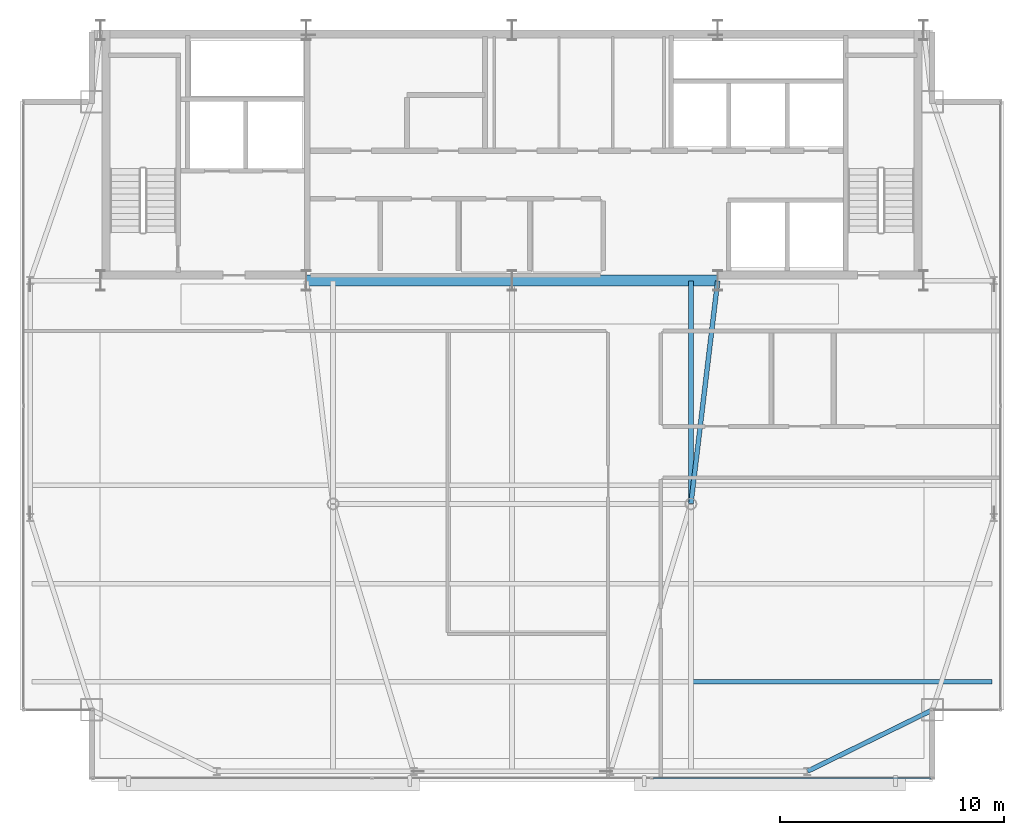
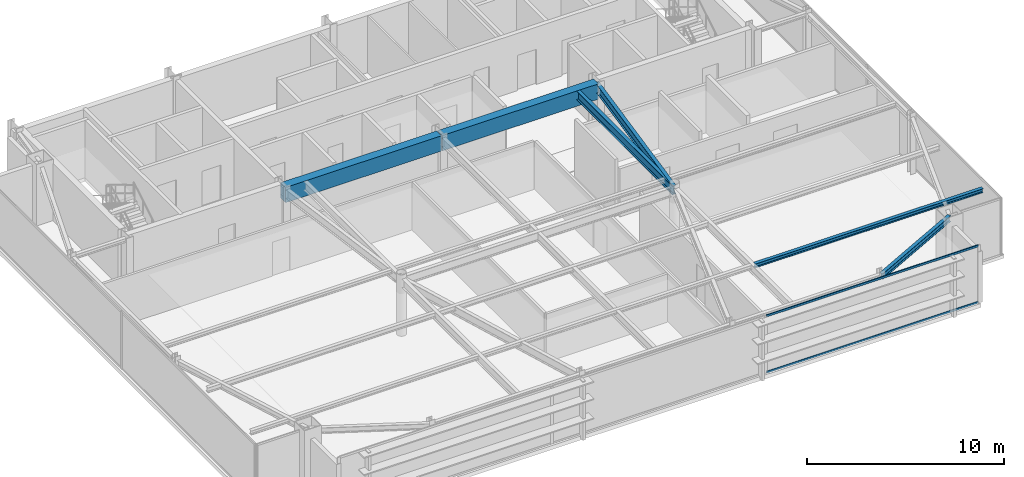
# One storey, part 13 of 24: 6 beams, 2 members, 1 element without a shape of its own.
"""IFC4 building model written with IfcOpenShell, lengths in metres."""

from ifc_helpers import new_model, si_unit, direction, frame, origin, origin_2d, place, context, subcontext, project, spatial, rectangle, hollow_rectangle, i_section, extrude, source, transform, mapped, material, layer, layer_set, material_profile, profile_set, type_object, type_shapes, element, aggregate, save


model = new_model("IFC4")

# Units and contexts
model_context = context("Model", 3, precision=1e-05, world=origin(), true_north=direction((0.0, 1.0)))
body_context = subcontext(model_context, "Body", "Model", "MODEL_VIEW")
ifc_project = project(units=[si_unit("LENGTHUNIT", "METRE"), si_unit("AREAUNIT", "SQUARE_METRE"), si_unit("VOLUMEUNIT", "CUBIC_METRE"), si_unit("PLANEANGLEUNIT", "RADIAN"), si_unit("MASSUNIT", "GRAM", prefix="KILO")], contexts=[model_context])

# Site, building, storey
site_placement = place(None, origin())
site = spatial("IfcSite", under=ifc_project, at=site_placement, CompositionType="ELEMENT")
building_placement = place(site_placement, origin())
building = spatial("IfcBuilding", under=site, at=building_placement, Name="Varnel Quay Broadcast Tower", CompositionType="ELEMENT")
storey_placement = place(building_placement, frame((0.0, 0.0, 269.800048828125)))
storey = spatial("IfcBuildingStorey", under=building, at=storey_placement, Name="L67", CompositionType="ELEMENT", Elevation=269.800048828125)

# Beams
ifc_material_1 = material(Name="Concrete CSA A23.3 C50/60", Category="concrete")
ifc_material_profile_1 = material_profile(ifc_material_1, rectangle(XDim=0.5, YDim=0.949951171875, at=origin_2d()), Name="RC500X950")
ifc_profile_set_1 = profile_set([ifc_material_profile_1], Name="Concrete CSA A23.3 C50/60")
beam_type_1 = type_object("IfcBeamType", Name="Beam_RC500X950", PredefinedType="BEAM", material=ifc_profile_set_1)
shared_shape_1 = source(origin(), body_context, "Body", "SweptSolid", [
    extrude(rectangle(XDim=0.5, YDim=0.949951171875, at=origin_2d()), origin(), (0.0, 0.0, 1.0), 9.159912109375),
])
type_shapes(beam_type_1, [shared_shape_1])
for number, where, z_axis, x_axis, name in (
    (1, (24.820068359375, 35.60009765625, 3.074951171875), (1.0, 0.0, 0.0), (0.0, 1.0, 0.0), "L67 Core Coupling Beam W"),
    (2, (34.02001953125, 35.60009765625, 3.074951171875), (1.0, 0.0, 0.0), (0.0, 1.0, 0.0), "L67 Core Coupling Beam E"),
):
    element("IfcBeam", number, at=place(storey_placement, frame(where, z_axis=z_axis, x_axis=x_axis)), inside=storey, type_object=beam_type_1, Name=name, PredefinedType="BEAM", context=body_context, shape_type="MappedRepresentation", body=[
        mapped(shared_shape_1, transform((0.0, 0.0, 0.0), x_axis=(1.0, 0.0, 0.0), y_axis=(0.0, 1.0, 0.0), z_axis=(0.0, 0.0, 1.0), scale=1.0)),
    ])
ifc_material_2 = material(Name="Structural Steel CSA G40.21 350W", Category="steel")
ifc_material_profile_2 = material_profile(ifc_material_2, i_section(OverallWidth=0.205078125, OverallDepth=0.35400390625, WebThickness=0.009521484375, FlangeThickness=0.016845703125, FilletRadius=0.012939453125, at=origin_2d()), Name="W360X79")
ifc_profile_set_2 = profile_set([ifc_material_profile_2], Name="Structural Steel CSA G40.21 350W")
beam_type_2 = type_object("IfcBeamType", Name="Beam_W360X79", PredefinedType="SPANDREL", material=ifc_profile_set_2)
shared_shape_2 = source(origin(), body_context, "Body", "SweptSolid", [
    extrude(i_section(OverallWidth=0.205078125, OverallDepth=0.35400390625, WebThickness=0.009521484375, FlangeThickness=0.016845703125, FilletRadius=0.012939453125, at=origin_2d()), origin(), (0.0, 0.0, 1.0), 6.19873046875),
])
type_shapes(beam_type_2, [shared_shape_2])
beam_1_placement = place(storey_placement, frame((47.218017578125, 13.65869140625, 3.373046875), z_axis=(0.897602447358, 0.440805905697, 0.0), x_axis=(-0.440805905697, 0.897602447358, 0.0)))
element("IfcBeam", 3, at=beam_1_placement, inside=storey, type_object=beam_type_2, Name="L67 South Spandrel TC-S4-MC-SE", PredefinedType="SPANDREL", context=body_context, shape_type="MappedRepresentation", body=[
    mapped(shared_shape_2, transform((0.0, 0.0, 0.0), x_axis=(1.0, 0.0, 0.0), y_axis=(0.0, 1.0, 0.0), z_axis=(0.0, 0.0, 1.0), scale=1.0)),
])
ifc_material_profile_3 = material_profile(ifc_material_2, i_section(OverallWidth=0.2119140625, OverallDepth=0.5439453125, WebThickness=0.01318359375, FlangeThickness=0.021240234375, FilletRadius=0.013916015625, at=origin_2d()), Name="W530X123")
ifc_profile_set_3 = profile_set([ifc_material_profile_3], Name="Structural Steel CSA G40.21 350W")
beam_type_3 = type_object("IfcBeamType", Name="Girder_W530X123", PredefinedType="BEAM", material=ifc_profile_set_3)
shared_shape_3 = source(origin(), body_context, "Body", "SweptSolid", [
    extrude(i_section(OverallWidth=0.2119140625, OverallDepth=0.5439453125, WebThickness=0.01318359375, FlangeThickness=0.021240234375, FilletRadius=0.013916015625, at=origin_2d()), origin(), (0.0, 0.0, 1.0), 10.021728515625),
])
beam_2_placement = place(storey_placement, frame((42.00244140625, 25.6298828125, 3.27783203125), z_axis=(0.119248005741, 0.992864498875, 0.0), x_axis=(-0.992864498875, 0.119248005741, 0.0)))
element("IfcBeam", 4, at=beam_2_placement, inside=storey, type_object=beam_type_3, Name="L67 Primary Girder IC-02-CC-S4", PredefinedType="BEAM", context=body_context, shape_type="MappedRepresentation", body=[
    mapped(shared_shape_3, transform((0.0, 0.0, 0.0), x_axis=(1.0, 0.0, 0.0), y_axis=(0.0, 1.0, 0.0), z_axis=(0.0, 0.0, 1.0), scale=1.0)),
])
shared_shape_4 = source(origin(), body_context, "Body", "SweptSolid", [
    extrude(i_section(OverallWidth=0.2119140625, OverallDepth=0.5439453125, WebThickness=0.01318359375, FlangeThickness=0.021240234375, FilletRadius=0.013916015625, at=origin_2d()), origin(), (0.0, 0.0, 1.0), 9.9501953125),
])
type_shapes(beam_type_3, [shared_shape_3, shared_shape_4])
beam_3_placement = place(storey_placement, frame((42.0, 25.6298828125, 3.27783203125), z_axis=(0.0, 1.0, 0.0), x_axis=(-1.0, 0.0, 0.0)))
element("IfcBeam", 5, at=beam_3_placement, inside=storey, type_object=beam_type_3, Name="L67 N-S Joist Header IC-02N", PredefinedType="BEAM", context=body_context, shape_type="MappedRepresentation", body=[
    mapped(shared_shape_4, transform((0.0, 0.0, 0.0), x_axis=(1.0, 0.0, 0.0), y_axis=(0.0, 1.0, 0.0), z_axis=(0.0, 0.0, 1.0), scale=1.0)),
])
ifc_material_profile_4 = material_profile(ifc_material_2, i_section(OverallWidth=0.201904296875, OverallDepth=0.2470703125, WebThickness=0.00732421875, FlangeThickness=0.010986328125, FilletRadius=0.010986328125, at=origin_2d()), Name="W250X49")
ifc_profile_set_4 = profile_set([ifc_material_profile_4], Name="Structural Steel CSA G40.21 350W")
beam_type_4 = type_object("IfcBeamType", Name="Beam_W250X49", PredefinedType="JOIST", material=ifc_profile_set_4)
shared_shape_5 = source(origin(), body_context, "Body", "SweptSolid", [
    extrude(i_section(OverallWidth=0.201904296875, OverallDepth=0.2470703125, WebThickness=0.00732421875, FlangeThickness=0.010986328125, FilletRadius=0.010986328125, at=origin_2d()), origin(), (0.0, 0.0, 1.0), 13.351318359375),
])
type_shapes(beam_type_4, [shared_shape_5])
beam_4_placement = place(storey_placement, frame((42.10107421875, 17.64990234375, 3.426513671875), z_axis=(1.0, 0.0, 0.0), x_axis=(0.0, 1.0, 0.0)))
element("IfcBeam", 6, at=beam_4_placement, inside=storey, type_object=beam_type_4, Name="L67 East Floor Joist 1", PredefinedType="JOIST", context=body_context, shape_type="MappedRepresentation", body=[
    mapped(shared_shape_5, transform((0.0, 0.0, 0.0), x_axis=(1.0, 0.0, 0.0), y_axis=(0.0, 1.0, 0.0), z_axis=(0.0, 0.0, 1.0), scale=1.0)),
])

# Curtain wall, members
ifc_material_3 = material(Name="Anodised Bronze Aluminium 6063-T6", Category="aluminium")
ifc_layer = layer(ifc_material_3, 0.18994140625, Name="Anodised Bronze Aluminium 6063-T6")
ifc_layer_set = layer_set([ifc_layer], Name="Anodised Bronze Aluminium 6063-T6")
curtain_wall_type = type_object("IfcCurtainWallType", Name="CW_UpperTower", PredefinedType="NOTDEFINED", material=ifc_layer_set)
curtain_wall_placement = place(storey_placement, origin())
curtain_wall = element("IfcCurtainWall", 7, at=curtain_wall_placement, inside=storey, type_object=curtain_wall_type, Name="L67 South Unitised Curtain Wall 1", PredefinedType="NOTDEFINED")
ifc_material_profile_5 = material_profile(ifc_material_3, hollow_rectangle(XDim=0.06005859375, YDim=0.125, WallThickness=0.0029296875, at=origin_2d()), Name="ALU60X125X3")
ifc_profile_set_5 = profile_set([ifc_material_profile_5], Name="Anodised Bronze Aluminium 6063-T6")
member_type = type_object("IfcMemberType", Name="Tran_CWS-03", PredefinedType="USERDEFINED", material=ifc_profile_set_5)
shared_shape_6 = source(origin(), body_context, "Body", "SweptSolid", [
    extrude(hollow_rectangle(XDim=0.06005859375, YDim=0.125, WallThickness=0.0029296875, at=origin_2d()), origin(), (0.0, 0.0, 1.0), 12.43603515625),
])
type_shapes(member_type, [shared_shape_6])
member_1_placement = place(storey_placement, frame((40.299072265625, 13.35009765625, 0.030029296875), z_axis=(1.0, 0.0, 0.0), x_axis=(0.0, 1.0, 0.0)))
member_1 = element("IfcMember", 8, at=member_1_placement, type_object=member_type, Name="CWS-03 transom 3.1", ObjectType="TRANSOM", PredefinedType="USERDEFINED", context=body_context, shape_type="MappedRepresentation", body=[
    mapped(shared_shape_6, transform((0.0, 0.0, 0.0), x_axis=(1.0, 0.0, 0.0), y_axis=(0.0, 1.0, 0.0), z_axis=(0.0, 0.0, 1.0), scale=1.0)),
])
member_2_placement = place(storey_placement, frame((40.299072265625, 13.35009765625, 3.52001953125), z_axis=(1.0, 0.0, 0.0), x_axis=(0.0, 1.0, 0.0)))
member_2 = element("IfcMember", 9, at=member_2_placement, type_object=member_type, Name="CWS-03 transom 3.2", ObjectType="TRANSOM", PredefinedType="USERDEFINED", context=body_context, shape_type="MappedRepresentation", body=[
    mapped(shared_shape_6, transform((0.0, 0.0, 0.0), x_axis=(1.0, 0.0, 0.0), y_axis=(0.0, 1.0, 0.0), z_axis=(0.0, 0.0, 1.0), scale=1.0)),
])
aggregate(curtain_wall, [member_1, member_2])

save(model, "model.ifc")
